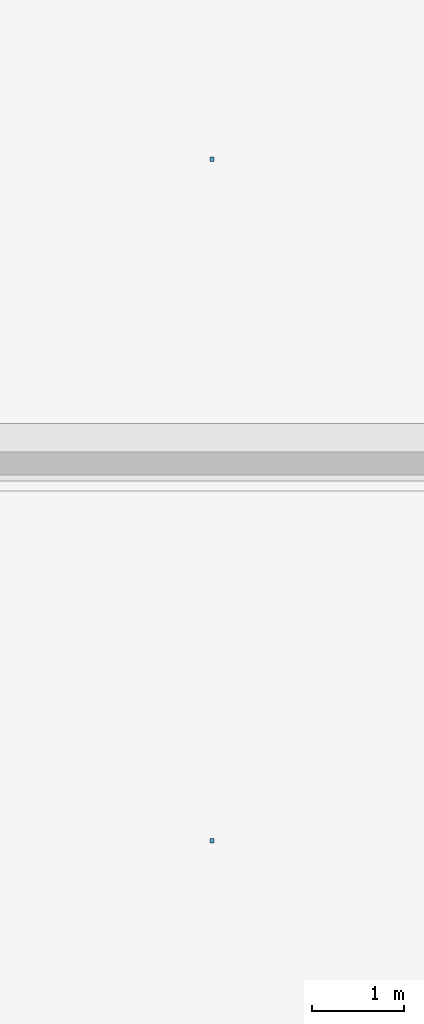
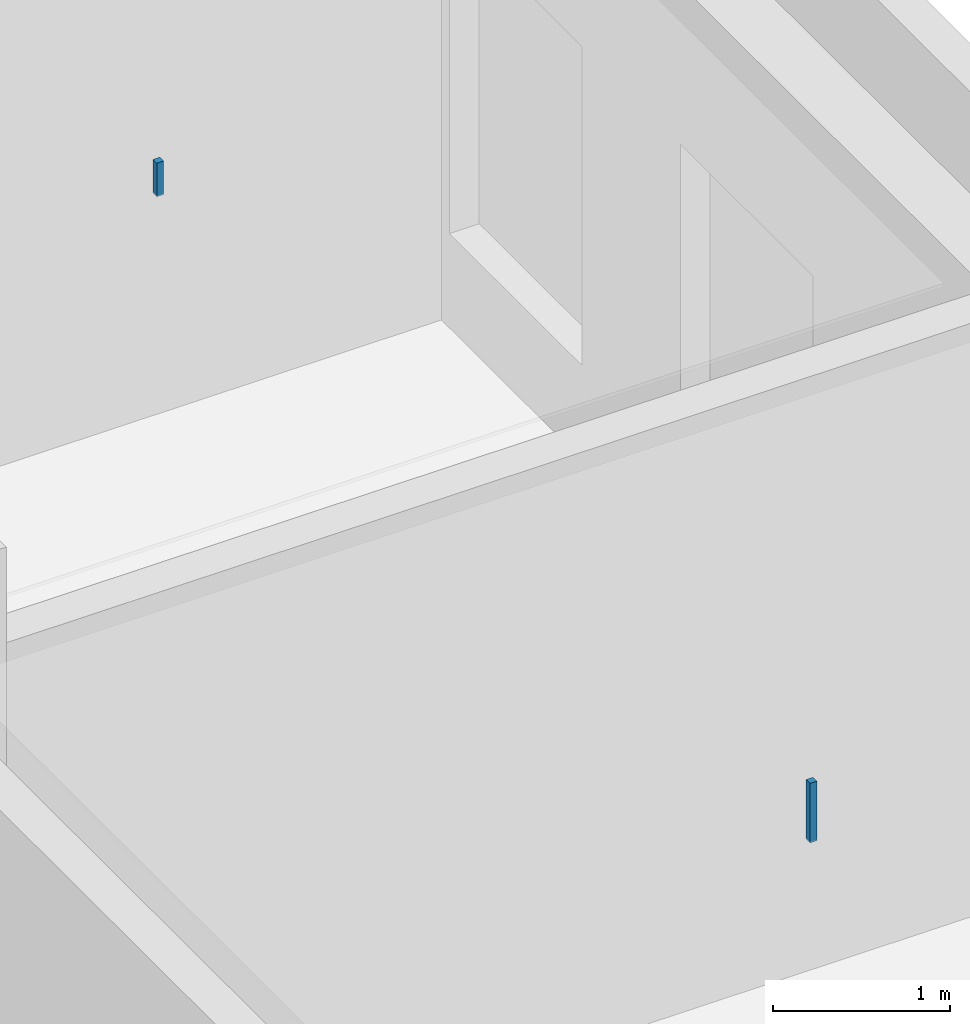
# One storey, part 67 of 88: 2 discrete accessories.
"""IFC4 building model written with IfcOpenShell, lengths in metres."""

from ifc_helpers import new_model, si_unit, derived_unit, direction, frame, origin, origin_2d, place, context, subcontext, project, spatial, rectangle, extrude, material, type_object, element, save


model = new_model("IFC4")

# Units and contexts
model_context = context("Model", 3, precision=1e-05, world=origin(), true_north=direction((0.0, 1.0)))
body_context = subcontext(model_context, "Body", "Model", "MODEL_VIEW")
ifc_project = project(units=[si_unit("LENGTHUNIT", "METRE"), si_unit("AREAUNIT", "SQUARE_METRE"), si_unit("VOLUMEUNIT", "CUBIC_METRE"), si_unit("PLANEANGLEUNIT", "RADIAN"), si_unit("MASSUNIT", "GRAM", prefix="KILO"), derived_unit("THERMALTRANSMITTANCEUNIT", [(si_unit("POWERUNIT", "WATT"), 1), (si_unit("LENGTHUNIT", "METRE"), -2), (si_unit("THERMODYNAMICTEMPERATUREUNIT", "KELVIN"), -1)])], contexts=[model_context])

# Site, building, storey
site_placement = place(None, origin())
site = spatial("IfcSite", under=ifc_project, at=site_placement, CompositionType="ELEMENT")
building_placement = place(site_placement, origin())
building = spatial("IfcBuilding", under=site, at=building_placement, Name="Braskholm Square Health Centre", CompositionType="ELEMENT")
storey_placement = place(building_placement, origin())
storey = spatial("IfcBuildingStorey", under=building, at=storey_placement, Name="L01", CompositionType="ELEMENT", Elevation=0.0)

# Discrete accessories
ifc_material = material(Name="Steel ASTM A500 Grade C", Category="steel")
discrete_accessory_type = type_object("IfcDiscreteAccessoryType", Name="CeilingSuspensionBracket", PredefinedType="BRACKET", material=ifc_material)
discrete_accessory_1_placement = place(storey_placement, frame((159.89697265625, 67.989990234375, 4.10205078125), z_axis=(0.0, 0.0, 1.0), x_axis=(1.0, 0.0, 0.0)))
element("IfcDiscreteAccessory", 1, at=discrete_accessory_1_placement, inside=storey, type_object=discrete_accessory_type, Name="Ceiling hanger bracket 0118", PredefinedType="BRACKET", context=body_context, shape_type="SweptSolid", body=[
    extrude(rectangle(XDim=0.044921875, YDim=0.044921875, at=origin_2d()), origin(), (0.0, 0.0, 1.0), 0.409912109375),
])
discrete_accessory_2_placement = place(storey_placement, frame((159.89697265625, 75.375, 4.08203125), z_axis=(0.0, 0.0, 1.0), x_axis=(1.0, 0.0, 0.0)))
element("IfcDiscreteAccessory", 2, at=discrete_accessory_2_placement, inside=storey, type_object=discrete_accessory_type, Name="Ceiling hanger bracket 0119", PredefinedType="BRACKET", context=body_context, shape_type="SweptSolid", body=[
    extrude(rectangle(XDim=0.044921875, YDim=0.044921875, at=origin_2d()), origin(), (0.0, 0.0, 1.0), 0.22998046875),
])

save(model, "model.ifc")
